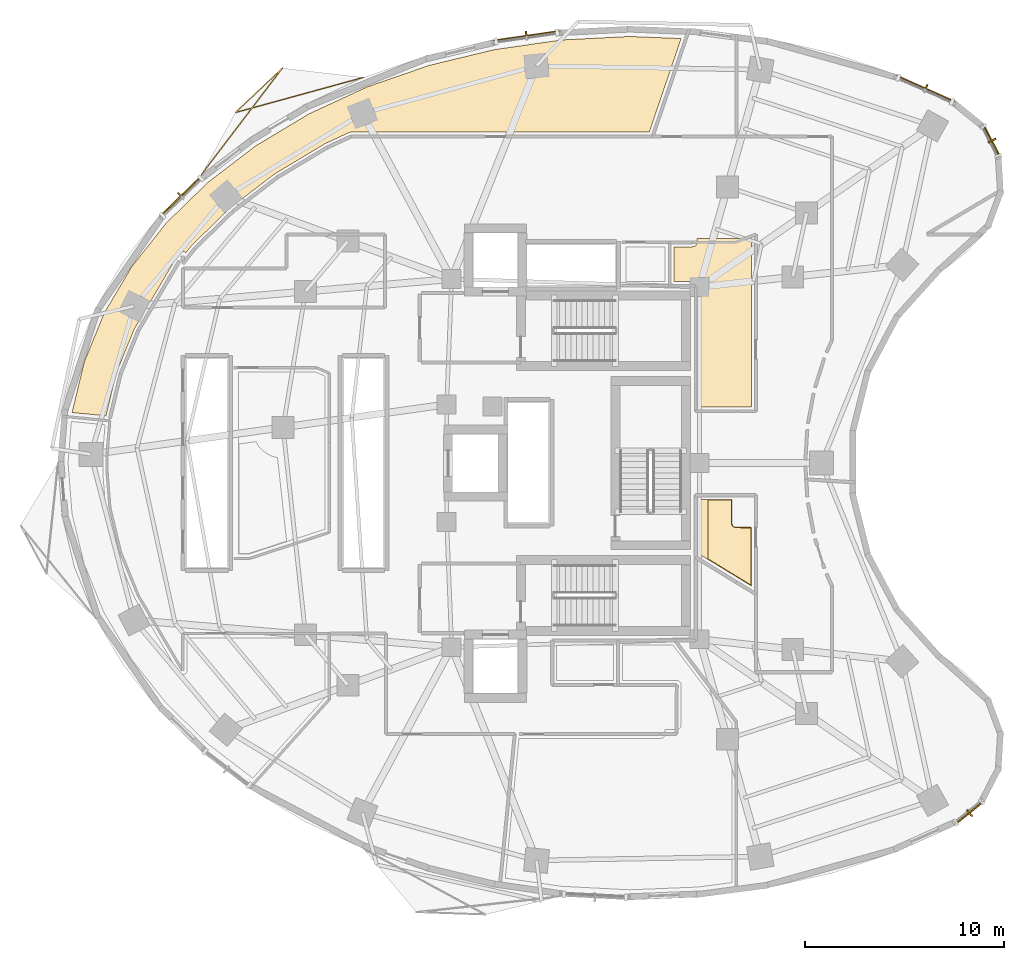
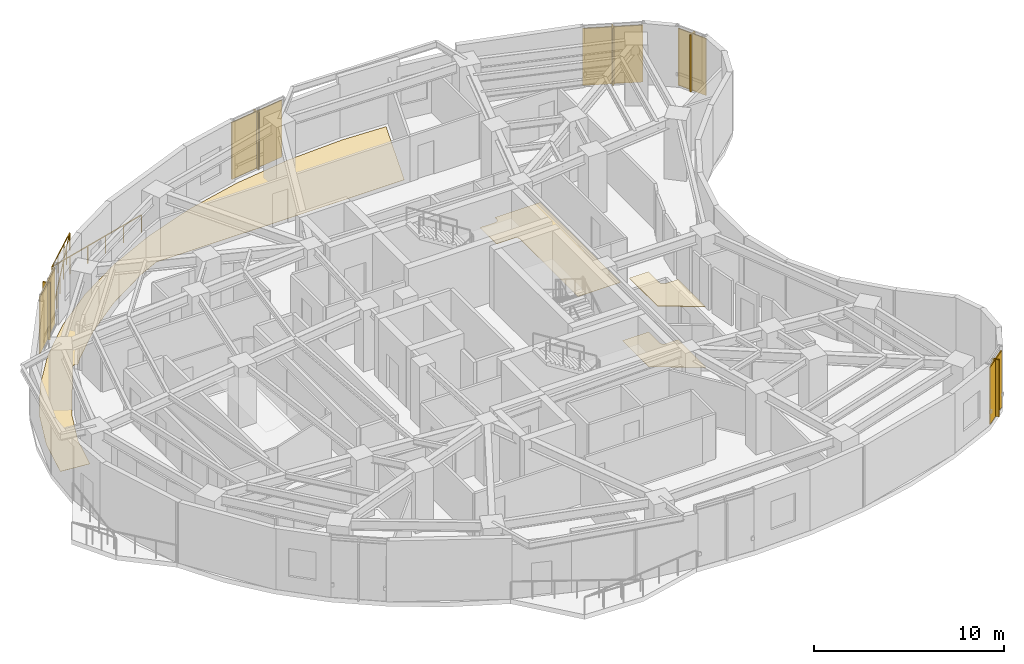
# One storey, part 14 of 14: 10 shading devices, 4 coverings, 1 railing.
"""IFC4 building model written with IfcOpenShell, lengths in metres."""

import ifcopenshell
import ifcopenshell.guid

model = None  # the IFC model being written
_history = None  # IfcOwnerHistory: only IFC2X3 demands one
_inside = {}  # id of a spatial element -> (the spatial element, [elements in it])
_under = {}  # id of a project, library or spatial element -> (it, [spatial elements below it])
_declared = {}  # id of a project -> (the project, [libraries it declares])
_typed = {}  # id of a type object -> (the type object, [elements of that type])
_made_of = {}  # id of a material, layer set ... -> (it, [elements and type objects made of it])


def new_model(schema):
    """Start an empty IFC model of exactly this schema.

    Asked for "IFC4X3", IfcOpenShell would pick the latest addendum, in which some entities
    have other attributes; the version numbers below select the first issue.
    IFC2X3 requires an IfcOwnerHistory on every rooted entity: one is made here for all.
    """
    global model, _history
    if schema == "IFC4X3":
        model = ifcopenshell.file(schema_version=(4, 3, 0, 0))
    else:
        model = ifcopenshell.file(schema=schema)
    _inside.clear()
    _under.clear()
    _declared.clear()
    _typed.clear()
    _made_of.clear()
    _history = None
    if model.schema == "IFC2X3":
        org = make("IfcOrganization", Name="unknown")
        user = make(
            "IfcPersonAndOrganization",
            ThePerson=make("IfcPerson", FamilyName="unknown"),
            TheOrganization=org,
        )
        app = make(
            "IfcApplication",
            ApplicationDeveloper=org,
            Version="unknown",
            ApplicationFullName="unknown",
            ApplicationIdentifier="unknown",
        )
        _history = make(
            "IfcOwnerHistory",
            OwningUser=user,
            OwningApplication=app,
            ChangeAction="ADDED",
            CreationDate=0,
        )
    return model


def make(cls, **values):
    """One entity of the class cls with the attributes given. An attribute that is None is left unset."""
    return model.create_entity(
        cls, **{name: value for name, value in values.items() if value is not None}
    )


def rooted(cls, **values):
    """An entity with a GlobalId (a new one), such as an element, a storey or a relation."""
    return make(cls, GlobalId=ifcopenshell.guid.new(), OwnerHistory=_history, **values)


def si_unit(unit_type, name, prefix=None):
    """IfcSIUnit, for example si_unit("LENGTHUNIT", "METRE", prefix="MILLI")."""
    return make("IfcSIUnit", UnitType=unit_type, Prefix=prefix, Name=name)


def assignment(units):
    """IfcUnitAssignment: the units of a project."""
    return None if units is None else make("IfcUnitAssignment", Units=units)


def point(xyz):
    """IfcCartesianPoint."""
    return None if xyz is None else make("IfcCartesianPoint", Coordinates=xyz)


def direction(xyz):
    """IfcDirection."""
    return None if xyz is None else make("IfcDirection", DirectionRatios=xyz)


def frame(location, z_axis=None, x_axis=None):
    """IfcAxis2Placement3D, a coordinate frame: its origin and axes. An axis left out is left unset."""
    return make(
        "IfcAxis2Placement3D",
        Location=point(location),
        Axis=direction(z_axis),
        RefDirection=direction(x_axis),
    )


def frame_2d(location, x_axis=None):
    """IfcAxis2Placement2D, a coordinate frame in the plane: its origin and x axis."""
    return make(
        "IfcAxis2Placement2D", Location=point(location), RefDirection=direction(x_axis)
    )


def origin():
    """The frame at (0, 0, 0) with its axes left unset."""
    return frame((0.0, 0.0, 0.0))


def origin_2d():
    """The frame at (0, 0) in the plane with its x axis left unset."""
    return frame_2d((0.0, 0.0))


def place(relative_to, where):
    """IfcLocalPlacement: puts the frame where relative to a parent placement (None: the world)."""
    return make(
        "IfcLocalPlacement", PlacementRelTo=relative_to, RelativePlacement=where
    )


def context(
    kind, dimensions, precision=None, world=None, true_north=None, identifier=None
):
    """IfcGeometricRepresentationContext, for example the 3D "Model" context."""
    return make(
        "IfcGeometricRepresentationContext",
        ContextIdentifier=identifier,
        ContextType=kind,
        CoordinateSpaceDimension=dimensions,
        Precision=precision,
        WorldCoordinateSystem=world,
        TrueNorth=true_north,
    )


def subcontext(parent, identifier, kind, view, scale=None):
    """IfcGeometricRepresentationSubContext, for example "Body" below "Model"."""
    return make(
        "IfcGeometricRepresentationSubContext",
        ContextIdentifier=identifier,
        ContextType=kind,
        ParentContext=parent,
        TargetScale=scale,
        TargetView=view,
    )


def project(units=None, contexts=None):
    """IfcProject with its units and contexts."""
    return rooted(
        "IfcProject",
        Name="project",
        RepresentationContexts=contexts,
        UnitsInContext=assignment(units),
    )


def spatial(cls, under=None, at=None, **own):
    """A site, building, storey or space (cls), placed at a placement, below another one or the project."""
    s = rooted(cls, ObjectPlacement=at, **own)
    if under is not None:
        _under.setdefault(under.id(), (under, []))[1].append(s)
    return s


def polyline(points):
    """IfcPolyline through the points."""
    return make("IfcPolyline", Points=[point(p) for p in points])


def profile(cls, at=None, kind="AREA", **sizes):
    """A parametric profile (cls). Its sizes go by their IFC names, for example OverallWidth=200.0."""
    return make(cls, ProfileType=kind, Position=at, **sizes)


def rectangle(**sizes):
    """IfcRectangleProfileDef."""
    return profile("IfcRectangleProfileDef", **sizes)


def outline(outer, holes=None, kind="AREA"):
    """IfcArbitraryClosedProfileDef: a profile drawn as a closed curve; with holes, ...WithVoids."""
    if holes is None:
        return make("IfcArbitraryClosedProfileDef", ProfileType=kind, OuterCurve=outer)
    return make(
        "IfcArbitraryProfileDefWithVoids",
        ProfileType=kind,
        OuterCurve=outer,
        InnerCurves=holes,
    )


def extrude(swept, where, along, depth):
    """IfcExtrudedAreaSolid: the profile swept, set in the frame where, extruded along a direction by depth."""
    return make(
        "IfcExtrudedAreaSolid",
        SweptArea=swept,
        Position=where,
        ExtrudedDirection=direction(along),
        Depth=depth,
    )


def shape(context_of_items, identifier, shape_type, items):
    """IfcShapeRepresentation: the items that make up one representation, for example the "Body"."""
    return make(
        "IfcShapeRepresentation",
        ContextOfItems=context_of_items,
        RepresentationIdentifier=identifier,
        RepresentationType=shape_type,
        Items=items,
    )


def material(Name=None, Category=None):
    """IfcMaterial."""
    return make("IfcMaterial", Name=Name, Category=Category)


def layer(
    of_material, thickness, ventilated=None, Name=None, Category=None, Priority=None
):
    """IfcMaterialLayer: one layer of a wall or slab, of a material (None: an air gap)."""
    return make(
        "IfcMaterialLayer",
        Material=of_material,
        LayerThickness=thickness,
        IsVentilated=ventilated,
        Name=Name,
        Category=Category,
        Priority=Priority,
    )


def layer_set(layers, Name=None):
    """IfcMaterialLayerSet."""
    return make("IfcMaterialLayerSet", MaterialLayers=layers, LayerSetName=Name)


def made_of(thing, what):
    """Note that an element or type object is made of a material, layer set ...; save() writes the relation."""
    if what is not None:
        _made_of.setdefault(what.id(), (what, []))[1].append(thing)
    return thing


def type_object(cls, material=None, **own):
    """A type object (cls), such as IfcWallType, which elements share."""
    return made_of(rooted(cls, **own), material)


def element(
    cls,
    number,
    at=None,
    inside=None,
    cuts=None,
    type_object=None,
    material=None,
    context=None,
    identifier="Body",
    shape_type=None,
    held_by="IfcProductDefinitionShape",
    body=None,
    shapes=None,
    **own,
):
    """One element of the class cls, such as IfcWall. Its Tag is "e" and its number.

    at: its placement. inside: the storey or other place that contains it. cuts: it is an
    opening in that element (IfcRelVoidsElement). A single representation is given by context,
    identifier, shape_type and body (its items); several are given by shapes. held_by: the class
    of the entity that holds the representations. save() writes the other relations.
    """
    e = rooted(cls, Tag="e%d" % number, ObjectPlacement=at, **own)
    if body is not None:
        shapes = [shape(context, identifier, shape_type, body)]
    if shapes is not None:
        e.Representation = make(held_by, Representations=shapes)
    if inside is not None:
        _inside.setdefault(inside.id(), (inside, []))[1].append(e)
    if cuts is not None:
        rooted(
            "IfcRelVoidsElement", RelatingBuildingElement=cuts, RelatedOpeningElement=e
        )
    if type_object is not None:
        _typed.setdefault(type_object.id(), (type_object, []))[1].append(e)
    return made_of(e, material)


def aggregate(whole, parts):
    """IfcRelAggregates: a whole, such as a stair, and the parts it consists of."""
    return rooted("IfcRelAggregates", RelatingObject=whole, RelatedObjects=parts)


def save(model, path):
    """Write the relations noted so far, then the file.

    IfcRelAggregates (storeys below a building ...), IfcRelContainedInSpatialStructure (elements
    in a storey), IfcRelDefinesByType, IfcRelAssociatesMaterial and IfcRelDeclares: one each for
    every whole, place, type object, material and project.
    """
    for whole, parts in _under.values():
        aggregate(whole, parts)
    for where, things in _inside.values():
        rooted(
            "IfcRelContainedInSpatialStructure",
            RelatedElements=things,
            RelatingStructure=where,
        )
    for kind, things in _typed.values():
        rooted("IfcRelDefinesByType", RelatedObjects=things, RelatingType=kind)
    for what, things in _made_of.values():
        rooted("IfcRelAssociatesMaterial", RelatedObjects=things, RelatingMaterial=what)
    for by, libraries in _declared.values():
        rooted("IfcRelDeclares", RelatingContext=by, RelatedDefinitions=libraries)
    model.write(path)


model = new_model("IFC4")

# Units and contexts
model_context = context("Model", 3, precision=1e-05, world=origin(), true_north=direction((0.0, 1.0)))
body_context = subcontext(model_context, "Body", "Model", "MODEL_VIEW")
ifc_project = project(units=[si_unit("LENGTHUNIT", "METRE"), si_unit("AREAUNIT", "SQUARE_METRE"), si_unit("VOLUMEUNIT", "CUBIC_METRE"), si_unit("PLANEANGLEUNIT", "RADIAN"), si_unit("MASSUNIT", "GRAM", prefix="KILO")], contexts=[model_context])

# Site, building, storey
site_placement = place(None, origin())
site = spatial("IfcSite", under=ifc_project, at=site_placement, CompositionType="ELEMENT")
building_placement = place(site_placement, origin())
building = spatial("IfcBuilding", under=site, at=building_placement, Name="Korentha Bioscience Tower", CompositionType="ELEMENT")
storey_placement = place(building_placement, frame((0.0, 0.0, 90.0)))
storey = spatial("IfcBuildingStorey", under=building, at=storey_placement, Name="L20", CompositionType="ELEMENT", Elevation=90.0)

# Railing
ifc_material_1 = material(Name="Laminated Tempered Safety Glass", Category="glass")
railing_type = type_object("IfcRailingType", Name="Laminated Glass Balcony Guardrail 1150", PredefinedType="BALUSTRADE", material=ifc_material_1)
railing_placement = place(storey_placement, frame((20.66650390625, 46.37890625, 0.0)))
element("IfcRailing", 1, at=railing_placement, inside=storey, type_object=railing_type, Name="L20 Balcony Guardrail 01", PredefinedType="BALUSTRADE", context=body_context, shape_type="SweptSolid", body=[
    extrude(rectangle(XDim=0.048095703125, YDim=0.048095703125, at=origin_2d()), frame((0.0, 0.0, 1.1259765625), z_axis=(-0.964316998133, -0.264750310883, 0.0), x_axis=(0.264750310883, -0.964316998133, 0.0)), (0.0, 0.0, 1.0), 6.67822265625),
    extrude(rectangle(XDim=0.048095703125, YDim=0.048095703125, at=origin_2d()), frame((-6.43994140625, -1.76806640625, 1.1259765625), z_axis=(0.726986123575, 0.68665215075, 0.0), x_axis=(-0.68665215075, 0.726986123575, 0.0)), (0.0, 0.0, 1.0), 3.256591796875),
    extrude(rectangle(XDim=0.048095703125, YDim=0.048095703125, at=origin_2d()), frame((-4.072509765625, 0.468017578125, 1.1259765625), z_axis=(-0.605446843346, -0.795885745495, 0.0), x_axis=(0.795885745495, -0.605446843346, 0.0)), (0.0, 0.0, 1.0), 6.72412109375),
    extrude(rectangle(XDim=0.0419921875, YDim=0.0419921875, at=origin_2d()), origin(), (0.0, 0.0, 1.0), 1.101806640625),
    extrude(rectangle(XDim=0.0419921875, YDim=0.0419921875, at=origin_2d()), frame((-1.2880859375, -0.353515625, 0.0)), (0.0, 0.0, 1.0), 1.101806640625),
    extrude(rectangle(XDim=0.0419921875, YDim=0.0419921875, at=origin_2d()), frame((-2.575927734375, -0.707275390625, 0.0)), (0.0, 0.0, 1.0), 1.101806640625),
    extrude(rectangle(XDim=0.0419921875, YDim=0.0419921875, at=origin_2d()), frame((-3.864013671875, -1.060791015625, 0.0)), (0.0, 0.0, 1.0), 1.101806640625),
    extrude(rectangle(XDim=0.0419921875, YDim=0.0419921875, at=origin_2d()), frame((-5.15185546875, -1.41455078125, 0.0)), (0.0, 0.0, 1.0), 1.101806640625),
    extrude(rectangle(XDim=0.0419921875, YDim=0.0419921875, at=origin_2d()), frame((-6.43994140625, -1.76806640625, 0.0)), (0.0, 0.0, 1.0), 1.101806640625),
    extrude(rectangle(XDim=0.0419921875, YDim=0.0419921875, at=origin_2d()), frame((-5.65087890625, -1.022705078125, 0.0)), (0.0, 0.0, 1.0), 1.101806640625),
    extrude(rectangle(XDim=0.0419921875, YDim=0.0419921875, at=origin_2d()), frame((-4.861572265625, -0.27734375, 0.0)), (0.0, 0.0, 1.0), 1.101806640625),
    extrude(rectangle(XDim=0.0419921875, YDim=0.0419921875, at=origin_2d()), frame((-4.072509765625, 0.468017578125, 0.0)), (0.0, 0.0, 1.0), 1.101806640625),
    extrude(rectangle(XDim=0.0419921875, YDim=0.0419921875, at=origin_2d()), frame((-4.88671875, -0.602294921875, 0.0)), (0.0, 0.0, 1.0), 1.101806640625),
    extrude(rectangle(XDim=0.0419921875, YDim=0.0419921875, at=origin_2d()), frame((-5.700927734375, -1.672607421875, 0.0)), (0.0, 0.0, 1.0), 1.101806640625),
    extrude(rectangle(XDim=0.0419921875, YDim=0.0419921875, at=origin_2d()), frame((-6.51513671875, -2.742919921875, 0.0)), (0.0, 0.0, 1.0), 1.101806640625),
    extrude(rectangle(XDim=0.0419921875, YDim=0.0419921875, at=origin_2d()), frame((-7.329345703125, -3.813232421875, 0.0)), (0.0, 0.0, 1.0), 1.101806640625),
    extrude(rectangle(XDim=0.0419921875, YDim=0.0419921875, at=origin_2d()), frame((-8.1435546875, -4.883544921875, 0.0)), (0.0, 0.0, 1.0), 1.101806640625),
])

# Covering
ifc_material_2 = material(Name="Antimicrobial Mineral Fibre Board", Category="gypsum")
ifc_layer_1 = layer(ifc_material_2, 0.034912109375, Name="Antimicrobial Mineral Fibre Board")
ifc_layer_set_1 = layer_set([ifc_layer_1], Name="Antimicrobial Mineral Fibre Board (CL-MF35)")
covering_type_1 = type_object("IfcCoveringType", Name="Mineral-Fibre Cleanroom Suspended Ceiling 35", PredefinedType="CEILING", material=ifc_layer_set_1)
covering_1_placement = place(storey_placement, frame((0.0, 0.0, 3.864990234375)))
element("IfcCovering", 2, at=covering_1_placement, inside=storey, type_object=covering_type_1, Name="L20 Reference Archive Vault 05 Acoustic Ceiling", PredefinedType="CEILING", context=body_context, shape_type="SweptSolid", body=[
    extrude(outline(polyline([(39.148193359375, 23.995361328125), (39.17041015625, 23.897705078125), (39.21142578125, 23.833984375), (39.339599609375, 23.755859375), (40.139892578125, 23.748046875), (40.139892578125, 20.873291015625), (37.989990234375, 22.185791015625), (37.989990234375, 25.139892578125), (39.14794921875, 25.139892578125), (39.148193359375, 23.995361328125)])), origin(), (0.0, 0.0, 1.0), 0.034912109375),
])

# Shading devices
ifc_material_3 = material(Name="Perforated Stone-Ceramic Composite", Category="masonry")
ifc_layer_2 = layer(ifc_material_3, 0.06494140625, Name="Perforated Stone-Ceramic Composite")
ifc_layer_set_2 = layer_set([ifc_layer_2], Name="Perforated Stone-Ceramic Composite (CS-01)")
shading_device_type_1 = type_object("IfcShadingDeviceType", Name="Perforated Stone-Ceramic Solar Screen Panel 65", PredefinedType="USERDEFINED", material=ifc_layer_set_2)
shading_device_1_placement = place(storey_placement, frame((48.912109375, 45.811279296875, 0.0), z_axis=(0.0, 0.0, 1.0), x_axis=(-0.912686563127, 0.408660295952, 0.0)))
element("IfcShadingDevice", 3, at=shading_device_1_placement, inside=storey, type_object=shading_device_type_1, Name="CW-L20-01 Perforated Stone-Ceramic Solar Screen", ObjectType="SCREEN", PredefinedType="USERDEFINED", context=body_context, shape_type="SweptSolid", body=[
    extrude(rectangle(XDim=3.1806640625, YDim=0.06494140625, at=origin_2d()), origin(), (0.0, 0.0, 1.0), 3.64990234375),
])
shading_device_2_placement = place(storey_placement, frame((28.85888671875, 48.46240234375, 0.0), z_axis=(0.0, 0.0, 1.0), x_axis=(-0.989738282326, -0.14289203091, 0.0)))
element("IfcShadingDevice", 4, at=shading_device_2_placement, inside=storey, type_object=shading_device_type_1, Name="CW-L20-07 Perforated Stone-Ceramic Solar Screen", ObjectType="SCREEN", PredefinedType="USERDEFINED", context=body_context, shape_type="SweptSolid", body=[
    extrude(rectangle(XDim=3.351318359375, YDim=0.06494140625, at=origin_2d()), origin(), (0.0, 0.0, 1.0), 3.64990234375),
])
shading_device_3_placement = place(storey_placement, frame((11.497314453125, 40.41162109375, 0.0), z_axis=(0.0, 0.0, 1.0), x_axis=(-0.716095631804, -0.698002182025, 0.0)))
element("IfcShadingDevice", 5, at=shading_device_3_placement, inside=storey, type_object=shading_device_type_1, Name="CW-L20-13 Perforated Stone-Ceramic Solar Screen", ObjectType="SCREEN", PredefinedType="USERDEFINED", context=body_context, shape_type="SweptSolid", body=[
    extrude(rectangle(XDim=2.8818359375, YDim=0.06494140625, at=origin_2d()), origin(), (0.0, 0.0, 1.0), 3.64990234375),
])
for number, where, z_axis, x_axis, name in (
    (6, (51.1103515625, 9.428955078125, 0.0), (0.0, 0.0, 1.0), (0.777315301098, 0.629111216463, 0.0), "CW-L20-37 Perforated Stone-Ceramic Solar Screen"),
    (7, (52.2294921875, 43.1953125, 0.0), (0.0, 0.0, 1.0), (-0.457613117169, 0.889151412862, 0.0), "CW-L20-61 Perforated Stone-Ceramic Solar Screen"),
):
    element("IfcShadingDevice", number, at=place(storey_placement, frame(where, z_axis=z_axis, x_axis=x_axis)), inside=storey, type_object=shading_device_type_1, Name=name, ObjectType="SCREEN", PredefinedType="USERDEFINED", context=body_context, shape_type="SweptSolid", body=[
        extrude(rectangle(XDim=1.737548828125, YDim=0.06494140625, at=origin_2d()), origin(), (0.0, 0.0, 1.0), 3.64990234375),
    ])

# Coverings
ifc_material_4 = material(Name="Chemical-Resistant Epoxy Resin", Category="polymer")
ifc_layer_3 = layer(ifc_material_4, 0.011962890625, Name="Chemical-Resistant Epoxy Resin")
ifc_layer_set_3 = layer_set([ifc_layer_3], Name="Chemical-Resistant Epoxy Resin (FL-EPX)")
covering_type_2 = type_object("IfcCoveringType", Name="Seamless Epoxy Laboratory Flooring 12", PredefinedType="FLOORING", material=ifc_layer_set_3)
covering_2_placement = place(storey_placement, origin())
element("IfcCovering", 8, at=covering_2_placement, inside=storey, type_object=covering_type_2, Name="L20 Reference Archive Vault 05 Floor Finish", PredefinedType="FLOORING", context=body_context, shape_type="SweptSolid", body=[
    extrude(outline(polyline([(39.177978515625, 24.002197265625), (39.22021484375, 23.87109375), (39.28515625, 23.81103515625), (39.346923828125, 23.784912109375), (40.169921875, 23.778076171875), (40.169921875, 20.81982421875), (37.5849609375, 22.397705078125), (37.580322265625, 25.169921875), (39.177978515625, 25.169921875), (39.177978515625, 24.002197265625)])), origin(), (0.0, 0.0, 1.0), 0.011962890625),
])
covering_3_placement = place(storey_placement, origin())
element("IfcCovering", 9, at=covering_3_placement, inside=storey, type_object=covering_type_2, Name="L20 Vaccine Formulation Cleanroom 07 Floor Finish", PredefinedType="FLOORING", context=body_context, shape_type="SweptSolid", body=[
    extrude(outline(polyline([(37.429931640625, 38.278076171875), (40.169921875, 38.27783203125), (40.169921875, 29.822021484375), (37.580078125, 29.822021484375), (37.577392578125, 35.93408203125), (37.5576171875, 35.998779296875), (37.5048828125, 36.070068359375), (37.38427734375, 36.12744140625), (36.280029296875, 36.1298828125), (36.280029296875, 37.8701171875), (37.199951171875, 37.8701171875), (37.277099609375, 37.88330078125), (37.354736328125, 37.929931640625), (37.41650390625, 38.022216796875), (37.429931640625, 38.278076171875)])), origin(), (0.0, 0.0, 1.0), 0.011962890625),
])
covering_4_placement = place(storey_placement, origin())
element("IfcCovering", 10, at=covering_4_placement, inside=storey, type_object=covering_type_2, Name="L20 Cold-Chain Stability Chamber 09 Floor Finish", PredefinedType="FLOORING", context=body_context, shape_type="SweptSolid", body=[
    extrude(outline(polyline([(6.63330078125, 32.070068359375), (7.63427734375, 34.5185546875), (9.01806640625, 36.86376953125), (10.76708984375, 39.0712890625), (12.85693359375, 41.108642578125), (15.259033203125, 42.944580078125), (17.938720703125, 44.5517578125), (20.857666015625, 45.905517578125), (23.97265625, 46.98486328125), (27.23876953125, 47.77392578125), (30.60791015625, 48.260498046875), (34.030517578125, 48.436767578125), (36.62939453125, 48.33349609375), (35.029296875, 43.63330078125), (20.03076171875, 43.629638671875), (19.94580078125, 43.608642578125), (18.735595703125, 43.047119140625), (16.205322265625, 41.5283203125), (13.97021484375, 39.8193359375), (12.042236328125, 37.940673828125), (11.744873046875, 37.568115234375), (11.662109375, 37.622802734375), (11.57421875, 37.637939453125), (11.468994140625, 37.609375), (11.400634765625, 37.552001953125), (9.15478515625, 33.745849609375), (8.259521484375, 31.554443359375), (7.733642578125, 29.373779296875), (6.02734375, 29.541259765625), (6.63330078125, 32.070068359375)])), origin(), (0.0, 0.0, 1.0), 0.011962890625),
])

# Shading devices
ifc_material_5 = material(Name="Honed Travertine Limestone", Category="masonry")
ifc_layer_4 = layer(ifc_material_5, 0.080078125, Name="Honed Travertine Limestone")
ifc_layer_set_4 = layer_set([ifc_layer_4], Name="Honed Travertine Limestone (CS-02)")
shading_device_type_2 = type_object("IfcShadingDeviceType", Name="Vertical Honed Limestone Sunshade Fin 80x420", PredefinedType="USERDEFINED", material=ifc_layer_set_4)
for number, where, z_axis, x_axis, name in (
    (11, (48.92041015625, 45.82958984375, 0.0), (0.0, 0.0, 1.0), (-0.912686563127, 0.408660295952, 0.0), "CW-L20-01 Limestone Sunshade Fin"),
    (12, (28.856201171875, 48.482421875, 0.0), (0.0, 0.0, 1.0), (-0.989738282326, -0.14289203091, 0.0), "CW-L20-07 Limestone Sunshade Fin"),
    (13, (11.483154296875, 40.42578125, 0.0), (0.0, 0.0, 1.0), (-0.716095631804, -0.698002182025, 0.0), "CW-L20-13 Limestone Sunshade Fin"),
    (14, (51.122802734375, 9.413330078125, 0.0), (0.0, 0.0, 1.0), (0.777315301098, 0.629111216463, 0.0), "CW-L20-37 Limestone Sunshade Fin"),
    (15, (52.2470703125, 43.20458984375, 0.0), (0.0, 0.0, 1.0), (-0.457613117169, 0.889151412862, 0.0), "CW-L20-61 Limestone Sunshade Fin"),
):
    element("IfcShadingDevice", number, at=place(storey_placement, frame(where, z_axis=z_axis, x_axis=x_axis)), inside=storey, type_object=shading_device_type_2, Name=name, ObjectType="SCREEN", PredefinedType="USERDEFINED", context=body_context, shape_type="SweptSolid", body=[
        extrude(rectangle(XDim=0.080078125, YDim=0.419921875, at=origin_2d()), origin(), (0.0, 0.0, 1.0), 3.64990234375),
    ])

save(model, "model.ifc")
